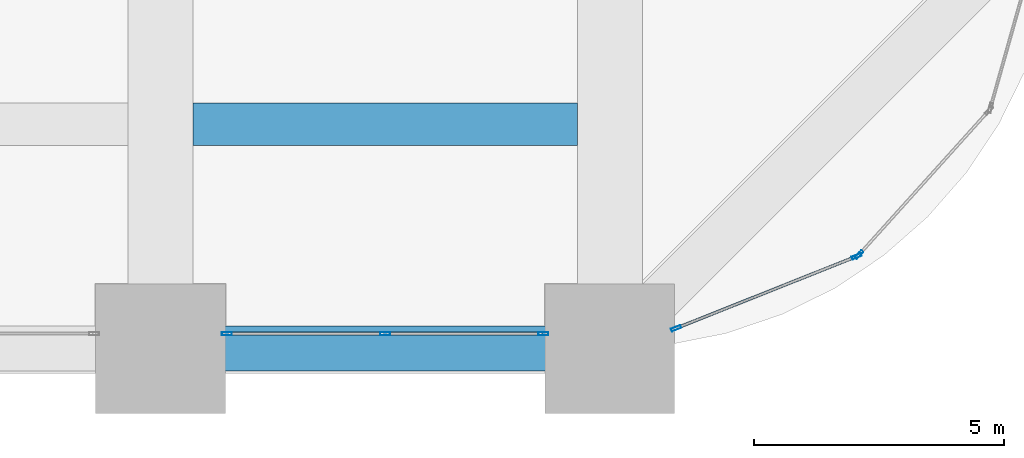
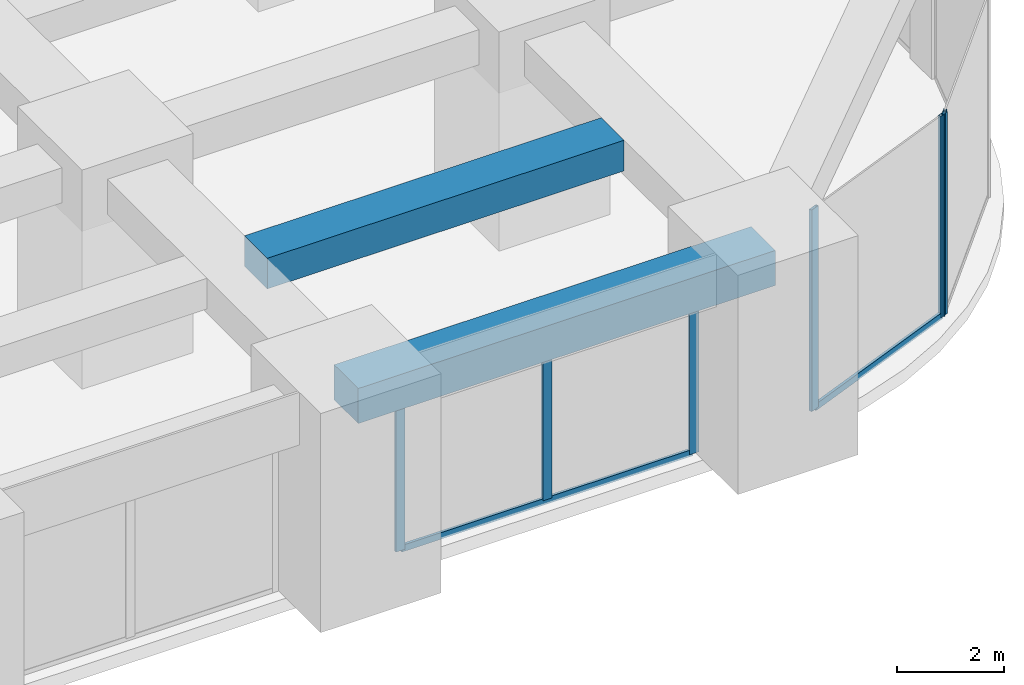
# One storey, part 30 of 46: 8 members, 2 beams, 3 elements without a shape of their own.
"""IFC4 building model written with IfcOpenShell, lengths in metres."""

from ifc_helpers import new_model, si_unit, direction, frame, origin, origin_2d, place, context, subcontext, project, spatial, rectangle, hollow_rectangle, extrude, material, material_profile, profile_set, type_object, element, aggregate, save


model = new_model("IFC4")

# Units and contexts
model_context = context("Model", 3, precision=1e-05, world=origin(), true_north=direction((0.0, 1.0)))
body_context = subcontext(model_context, "Body", "Model", "MODEL_VIEW")
ifc_project = project(units=[si_unit("LENGTHUNIT", "METRE"), si_unit("AREAUNIT", "SQUARE_METRE"), si_unit("VOLUMEUNIT", "CUBIC_METRE"), si_unit("PLANEANGLEUNIT", "RADIAN"), si_unit("MASSUNIT", "GRAM", prefix="KILO")], contexts=[model_context])

# Site, building, storey
site_placement = place(None, origin())
site = spatial("IfcSite", under=ifc_project, at=site_placement, CompositionType="ELEMENT")
building_placement = place(site_placement, origin())
building = spatial("IfcBuilding", under=site, at=building_placement, Name="Zorevar Civic Tower", CompositionType="ELEMENT")
storey_placement = place(building_placement, frame((0.0, 0.0, 10.800048828125)))
storey = spatial("IfcBuildingStorey", under=building, at=storey_placement, Name="L02", CompositionType="ELEMENT", Elevation=10.800048828125)

# Beam
ifc_material_1 = material(Name="Concrete C50/60", Category="concrete")
ifc_material_profile_1 = material_profile(ifc_material_1, rectangle(XDim=0.85009765625, YDim=0.699951171875, at=origin_2d()), Name="RC 850x700")
ifc_profile_set_1 = profile_set([ifc_material_profile_1], Name="Concrete C50/60")
beam_type_1 = type_object("IfcBeamType", Name="Beam RC 850x700", PredefinedType="BEAM", material=ifc_profile_set_1)
beam_1_placement = place(storey_placement, frame((54.64990234375, 4.5, 4.25), z_axis=(1.0, 0.0, 0.0), x_axis=(0.0, 1.0, 0.0)))
element("IfcBeam", 1, at=beam_1_placement, inside=storey, type_object=beam_type_1, Name="Secondary beam L03", PredefinedType="BEAM", context=body_context, shape_type="SweptSolid", body=[
    extrude(rectangle(XDim=0.85009765625, YDim=0.699951171875, at=origin_2d()), origin(), (0.0, 0.0, 1.0), 7.7001953125),
])

# Curtain wall, members
ifc_material_2 = material(Name="Dark grey solar-control glass in black aluminium frame", Category="aluminium")
curtain_wall_type = type_object("IfcCurtainWallType", Name="Curtain wall CW1 podium", PredefinedType="NOTDEFINED", material=ifc_material_2)
curtain_wall_1_placement = place(storey_placement, origin())
curtain_wall_1 = element("IfcCurtainWall", 2, at=curtain_wall_1_placement, inside=storey, type_object=curtain_wall_type, Name="CW1 L02", PredefinedType="NOTDEFINED")
ifc_material_3 = material(Name="Aluminium, black anodised", Category="aluminium")
ifc_material_profile_2 = material_profile(ifc_material_3, hollow_rectangle(XDim=0.06005859375, YDim=0.199951171875, WallThickness=0.00390625, at=origin_2d()), Name="AL 200x60x4")
ifc_profile_set_2 = profile_set([ifc_material_profile_2], Name="Aluminium, black anodised")
member_type_1 = type_object("IfcMemberType", Name="CW1 mullion AL 200x60x4", PredefinedType="MULLION", material=ifc_profile_set_2)
member_1_placement = place(storey_placement, frame((55.330078125, 0.300048828125, 0.0), z_axis=(0.0, 0.0, 1.0), x_axis=(0.0, 1.0, 0.0)))
member_1 = element("IfcMember", 3, at=member_1_placement, type_object=member_type_1, Name="CW1 mullion 1", PredefinedType="MULLION", context=body_context, shape_type="SweptSolid", body=[
    extrude(hollow_rectangle(XDim=0.06005859375, YDim=0.199951171875, WallThickness=0.00390625, at=origin_2d()), origin(), (0.0, 0.0, 1.0), 3.800048828125),
])
member_2_placement = place(storey_placement, frame((58.5, 0.300048828125, 0.06005859375), z_axis=(0.0, 0.0, 1.0), x_axis=(0.0, 1.0, 0.0)))
member_2 = element("IfcMember", 4, at=member_2_placement, type_object=member_type_1, Name="CW1 mullion 2", PredefinedType="MULLION", context=body_context, shape_type="SweptSolid", body=[
    extrude(hollow_rectangle(XDim=0.06005859375, YDim=0.199951171875, WallThickness=0.00390625, at=origin_2d()), origin(), (0.0, 0.0, 1.0), 3.739990234375),
])
member_3_placement = place(storey_placement, frame((61.669921875, 0.300048828125, 0.0), z_axis=(0.0, 0.0, 1.0), x_axis=(0.0, 1.0, 0.0)))
member_3 = element("IfcMember", 5, at=member_3_placement, type_object=member_type_1, Name="CW1 mullion 3", PredefinedType="MULLION", context=body_context, shape_type="SweptSolid", body=[
    extrude(hollow_rectangle(XDim=0.06005859375, YDim=0.199951171875, WallThickness=0.00390625, at=origin_2d()), origin(), (0.0, 0.0, 1.0), 3.800048828125),
])

curtain_wall_2_placement = place(storey_placement, origin())
curtain_wall_2 = element("IfcCurtainWall", 6, at=curtain_wall_2_placement, inside=storey, type_object=curtain_wall_type, Name="CW1 L02", PredefinedType="NOTDEFINED")
member_4_placement = place(storey_placement, frame((64.327880859375, 0.408935546875, 0.0), z_axis=(0.0, 0.0, 1.0), x_axis=(-0.370110964218, 0.928987553289, 0.0)))
member_4 = element("IfcMember", 7, at=member_4_placement, type_object=member_type_1, Name="CW1 mullion 1", PredefinedType="MULLION", context=body_context, shape_type="SweptSolid", body=[
    extrude(hollow_rectangle(XDim=0.06005859375, YDim=0.199951171875, WallThickness=0.00390625, at=origin_2d()), origin(), (0.0, 0.0, 1.0), 4.599853515625),
])
member_5_placement = place(storey_placement, frame((67.943603515625, 1.849365234375, 0.0), z_axis=(0.0, 0.0, 1.0), x_axis=(-0.370110964218, 0.928987553289, 0.0)))
member_5 = element("IfcMember", 8, at=member_5_placement, type_object=member_type_1, Name="CW1 mullion 2", PredefinedType="MULLION", context=body_context, shape_type="SweptSolid", body=[
    extrude(hollow_rectangle(XDim=0.06005859375, YDim=0.199951171875, WallThickness=0.00390625, at=origin_2d()), origin(), (0.0, 0.0, 1.0), 4.599853515625),
])

# Curtain wall, member
curtain_wall_3_placement = place(storey_placement, origin())
curtain_wall_3 = element("IfcCurtainWall", 9, at=curtain_wall_3_placement, inside=storey, type_object=curtain_wall_type, Name="CW1 L02", PredefinedType="NOTDEFINED")
member_6_placement = place(storey_placement, frame((67.991455078125, 1.8828125, 0.0), z_axis=(0.0, 0.0, 1.0), x_axis=(-0.742899688263, 0.669402758568, 0.0)))
member_6 = element("IfcMember", 10, at=member_6_placement, type_object=member_type_1, Name="CW1 mullion 1", PredefinedType="MULLION", context=body_context, shape_type="SweptSolid", body=[
    extrude(hollow_rectangle(XDim=0.06005859375, YDim=0.199951171875, WallThickness=0.00390625, at=origin_2d()), origin(), (0.0, 0.0, 1.0), 4.599853515625),
])
aggregate(curtain_wall_3, [member_6])

# Member
ifc_material_4 = material(Name="Aluminium, black anodised", Category="aluminium")
ifc_material_profile_3 = material_profile(ifc_material_4, hollow_rectangle(XDim=0.06005859375, YDim=0.14990234375, WallThickness=0.00390625, at=origin_2d()), Name="AL 150x60x4")
ifc_profile_set_3 = profile_set([ifc_material_profile_3], Name="Aluminium, black anodised")
member_type_2 = type_object("IfcMemberType", Name="CW1 transom AL 150x60x4", PredefinedType="USERDEFINED", material=ifc_profile_set_3)
member_7_placement = place(storey_placement, frame((55.360107421875, 0.300048828125, 0.030029296875), z_axis=(1.0, 0.0, 0.0), x_axis=(0.0, 1.0, 0.0)))
member_7 = element("IfcMember", 11, at=member_7_placement, type_object=member_type_2, Name="CW1 sill transom", ObjectType="TRANSOM", PredefinedType="USERDEFINED", context=body_context, shape_type="SweptSolid", body=[
    extrude(hollow_rectangle(XDim=0.06005859375, YDim=0.14990234375, WallThickness=0.00390625, at=origin_2d()), origin(), (0.0, 0.0, 1.0), 6.27978515625),
])

aggregate(curtain_wall_1, [member_1, member_2, member_3, member_7])

member_8_placement = place(storey_placement, frame((64.355712890625, 0.419921875, 0.030029296875), z_axis=(0.928998620575, 0.370083183851, 0.0), x_axis=(-0.370083183851, 0.928998620575, 0.0)))
member_8 = element("IfcMember", 12, at=member_8_placement, type_object=member_type_2, Name="CW1 sill transom", ObjectType="TRANSOM", PredefinedType="USERDEFINED", context=body_context, shape_type="SweptSolid", body=[
    extrude(hollow_rectangle(XDim=0.06005859375, YDim=0.14990234375, WallThickness=0.00390625, at=origin_2d()), origin(), (0.0, 0.0, 1.0), 3.83203125),
])

aggregate(curtain_wall_2, [member_4, member_5, member_8])

# Beam
ifc_material_5 = material(Name="Concrete C50/60", Category="concrete")
ifc_material_profile_4 = material_profile(ifc_material_5, rectangle(XDim=0.89990234375, YDim=0.800048828125, at=origin_2d()), Name="RC 900x800")
ifc_profile_set_4 = profile_set([ifc_material_profile_4], Name="Concrete C50/60")
beam_type_2 = type_object("IfcBeamType", Name="Edge beam RC 900x800", PredefinedType="SPANDREL", material=ifc_profile_set_4)
beam_2_placement = place(storey_placement, frame((54.0, 0.0, 4.199951171875), z_axis=(1.0, 0.0, 0.0), x_axis=(0.0, 1.0, 0.0)))
element("IfcBeam", 13, at=beam_2_placement, inside=storey, type_object=beam_type_2, Name="Edge beam L03", PredefinedType="SPANDREL", context=body_context, shape_type="SweptSolid", body=[
    extrude(rectangle(XDim=0.89990234375, YDim=0.800048828125, at=origin_2d()), origin(), (0.0, 0.0, 1.0), 9.0),
])

save(model, "model.ifc")
